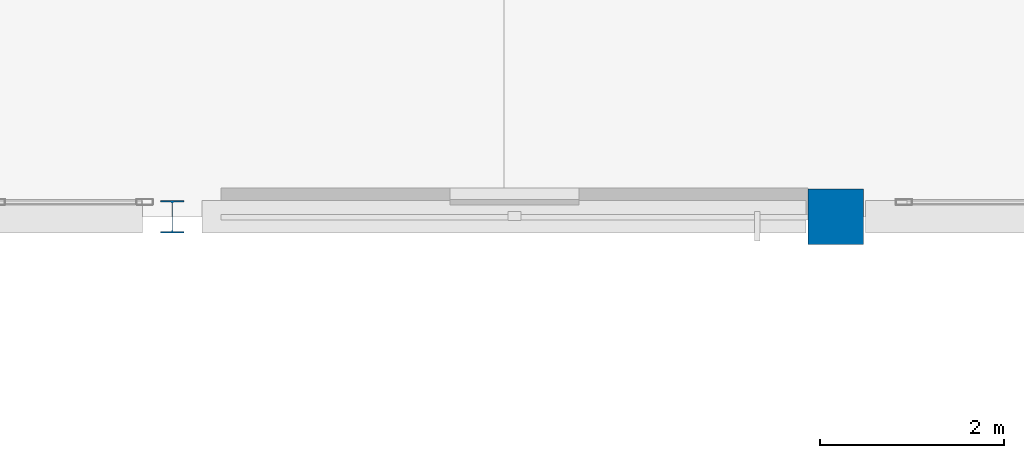
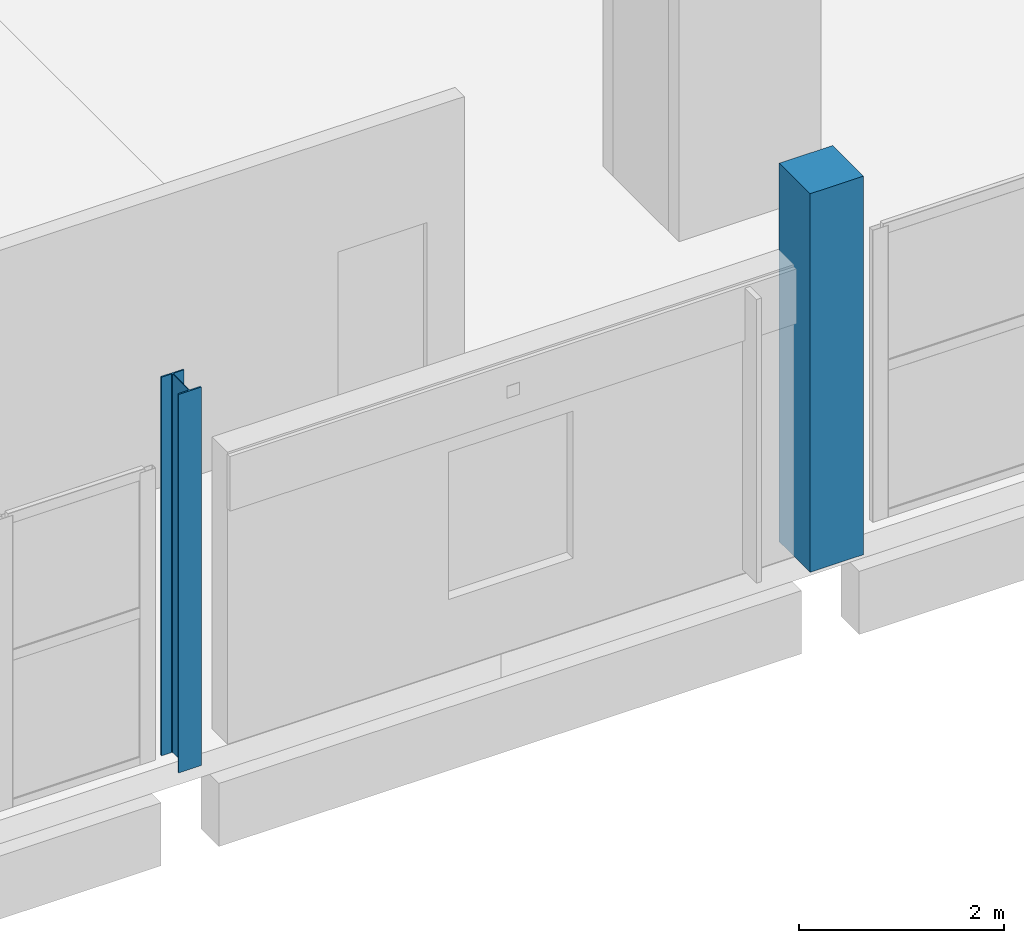
# One storey, part 11 of 123: 2 columns.
"""IFC4 building model written with IfcOpenShell, lengths in metres."""

from ifc_helpers import new_model, si_unit, direction, frame, origin, origin_2d, place, context, subcontext, project, spatial, rectangle, i_section, extrude, material, material_profile, profile_set, type_object, element, save


model = new_model("IFC4")

# Units and contexts
model_context = context("Model", 3, precision=1e-05, world=origin(), true_north=direction((0.0, 1.0)))
body_context = subcontext(model_context, "Body", "Model", "MODEL_VIEW")
ifc_project = project(units=[si_unit("LENGTHUNIT", "METRE"), si_unit("AREAUNIT", "SQUARE_METRE"), si_unit("VOLUMEUNIT", "CUBIC_METRE"), si_unit("PLANEANGLEUNIT", "RADIAN"), si_unit("MASSUNIT", "GRAM", prefix="KILO")], contexts=[model_context])

# Site, building, storey
site_placement = place(None, origin())
site = spatial("IfcSite", under=ifc_project, at=site_placement, CompositionType="ELEMENT")
building_placement = place(site_placement, origin())
building = spatial("IfcBuilding", under=site, at=building_placement, Name="Kalmorath City Hall", CompositionType="ELEMENT")
storey_placement = place(building_placement, frame((0.0, 0.0, 10.199951171875)))
storey = spatial("IfcBuildingStorey", under=building, at=storey_placement, Name="L02", CompositionType="ELEMENT", Elevation=10.199951171875)

# Columns
ifc_material_1 = material(Name="Concrete C50/60", Category="concrete")
ifc_material_profile_1 = material_profile(ifc_material_1, rectangle(XDim=0.60009765625, YDim=0.60009765625, at=origin_2d()), Name="RC-COL-600X600")
ifc_profile_set_1 = profile_set([ifc_material_profile_1], Name="Concrete C50/60")
column_type_1 = type_object("IfcColumnType", Name="Concrete column 600x600", PredefinedType="COLUMN", material=ifc_profile_set_1)
column_1_placement = place(storey_placement, frame((57.60009765625, 93.60009765625, 0.0), z_axis=(0.0, 0.0, 1.0), x_axis=(1.0, 0.0, 0.0)))
element("IfcColumn", 1, at=column_1_placement, inside=storey, type_object=column_type_1, Name="L02 column C6 (9/14)", PredefinedType="COLUMN", context=body_context, shape_type="SweptSolid", body=[
    extrude(rectangle(XDim=0.60009765625, YDim=0.60009765625, at=origin_2d()), origin(), (0.0, 0.0, 1.0), 4.5),
])
ifc_material_2 = material(Name="Steel ASTM A992 Grade 50", Category="steel")
ifc_material_profile_2 = material_profile(ifc_material_2, i_section(OverallWidth=0.25390625, OverallDepth=0.35302734375, WebThickness=0.009521484375, FlangeThickness=0.016357421875, FilletRadius=0.014892578125, at=origin_2d()), Name="W14X61")
ifc_profile_set_2 = profile_set([ifc_material_profile_2], Name="Steel ASTM A992 Grade 50")
column_type_2 = type_object("IfcColumnType", Name="Steel wide-flange column W14X61", PredefinedType="COLUMN", material=ifc_profile_set_2)
column_2_placement = place(storey_placement, frame((50.39990234375, 93.60009765625, 0.0), z_axis=(0.0, 0.0, 1.0), x_axis=(1.0, 0.0, 0.0)))
element("IfcColumn", 2, at=column_2_placement, inside=storey, type_object=column_type_2, Name="L02 column SC1 (8/14)", PredefinedType="COLUMN", context=body_context, shape_type="SweptSolid", body=[
    extrude(i_section(OverallWidth=0.25390625, OverallDepth=0.35302734375, WebThickness=0.009521484375, FlangeThickness=0.016357421875, FilletRadius=0.014892578125, at=origin_2d()), origin(), (0.0, 0.0, 1.0), 4.5),
])

save(model, "model.ifc")
